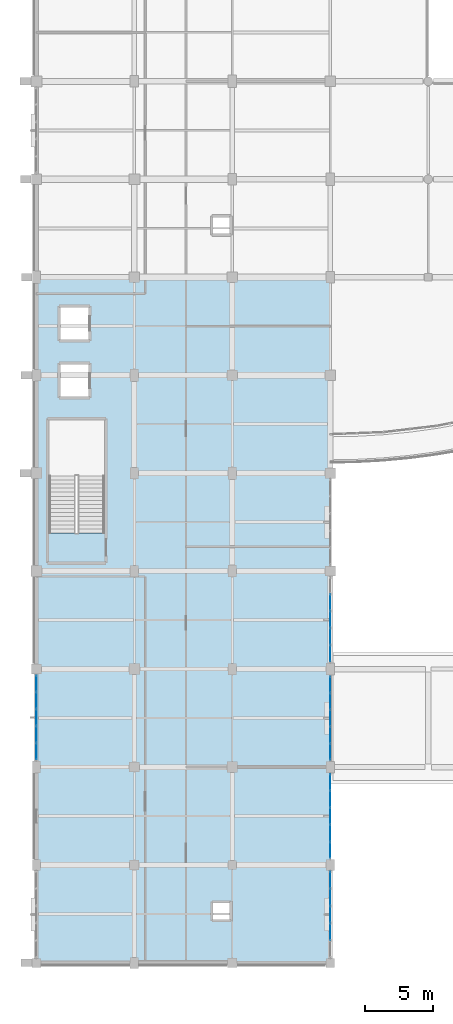
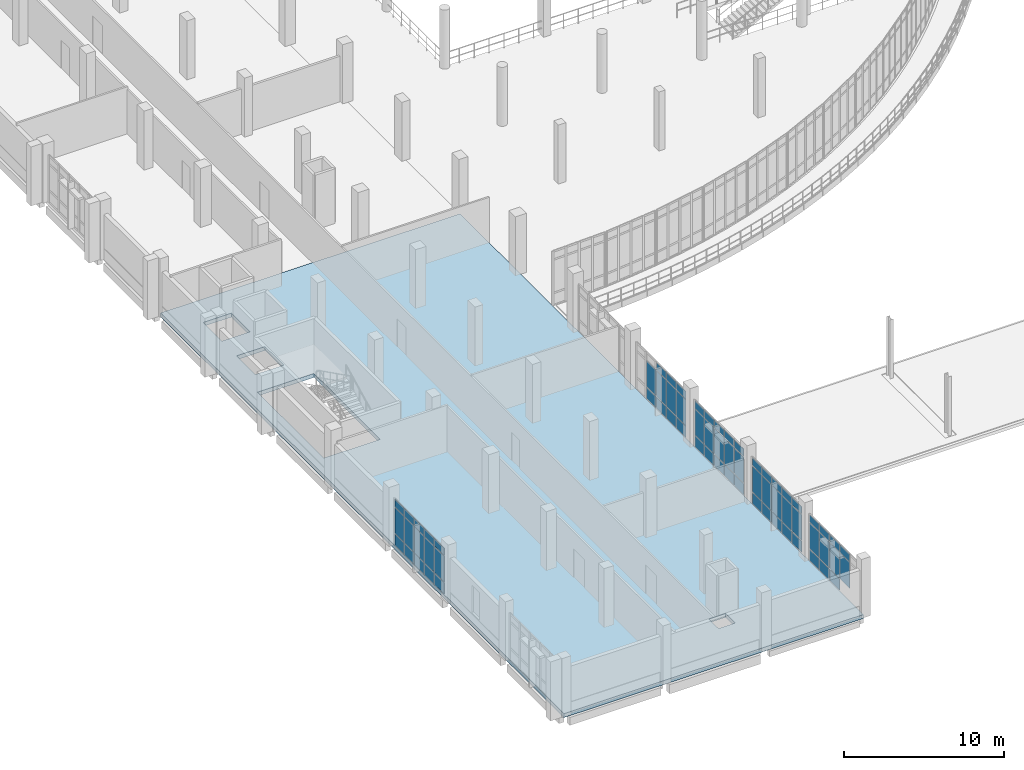
# One storey, part 92 of 134: 67 plates, 1 slab, 5 elements without a shape of their own.
"""IFC4 building model written with IfcOpenShell, lengths in metres."""

from ifc_helpers import new_model, si_unit, direction, frame, origin, origin_2d, place, context, subcontext, project, spatial, polyline, rectangle, outline, extrude, material, layer, layer_set, type_object, element, aggregate, save


model = new_model("IFC4")

# Units and contexts
model_context = context("Model", 3, precision=1e-05, world=origin(), true_north=direction((0.0, 1.0)))
body_context = subcontext(model_context, "Body", "Model", "MODEL_VIEW")
ifc_project = project(units=[si_unit("LENGTHUNIT", "METRE"), si_unit("AREAUNIT", "SQUARE_METRE"), si_unit("VOLUMEUNIT", "CUBIC_METRE"), si_unit("PLANEANGLEUNIT", "RADIAN"), si_unit("MASSUNIT", "GRAM", prefix="KILO")], contexts=[model_context])

# Site, building, storey
site_placement = place(None, origin())
site = spatial("IfcSite", under=ifc_project, at=site_placement, CompositionType="ELEMENT")
building_placement = place(site_placement, origin())
building = spatial("IfcBuilding", under=site, at=building_placement, Name="Kalluvel Institute of Natural Sciences", CompositionType="ELEMENT")
storey_placement = place(building_placement, frame((0.0, 0.0, 5.39990234375)))
storey = spatial("IfcBuildingStorey", under=building, at=storey_placement, Name="L01", CompositionType="ELEMENT", Elevation=5.39990234375)

# Curtain wall, plates
ifc_material_1 = material(Name="Aluminium AW-6063 T6", Category="aluminium")
curtain_wall_type = type_object("IfcCurtainWallType", Name="CW-DRY-45", PredefinedType="USERDEFINED", material=ifc_material_1)
curtain_wall_1_placement = place(storey_placement, origin())
curtain_wall_1 = element("IfcCurtainWall", 1, at=curtain_wall_1_placement, inside=storey, type_object=curtain_wall_type, Name="L01 Gothic lancet curtain wall CWA-L01-X140-Y289", ObjectType="UNITISED LANCET FACADE", PredefinedType="USERDEFINED")
ifc_material_2 = material(Name="Solar-Control Low-E Laminated Glass", Category="glass")
ifc_layer_1 = layer(ifc_material_2, 0.031982421875)
ifc_layer_set_1 = layer_set([ifc_layer_1], Name="Solar-Control Low-E Laminated Glass")
plate_type = type_object("IfcPlateType", Name="CWP-DGU-32", PredefinedType="CURTAIN_PANEL", material=ifc_layer_set_1)
plate_1_placement = place(storey_placement, frame((14.0, 29.543701171875, 0.065185546875), z_axis=(0.0, 0.0, 1.0), x_axis=(0.0, 1.0, 0.0)))
plate_1 = element("IfcPlate", 2, at=plate_1_placement, type_object=plate_type, Name="CW-03 panel 1.1", PredefinedType="CURTAIN_PANEL", context=body_context, shape_type="SweptSolid", body=[
    extrude(rectangle(XDim=1.157470703125, YDim=0.031982421875, at=origin_2d()), origin(), (0.0, 0.0, 1.0), 0.8525390625),
])
plate_2_placement = place(storey_placement, frame((14.0, 29.543701171875, 0.982666015625), z_axis=(0.0, 0.0, 1.0), x_axis=(0.0, 1.0, 0.0)))
plate_2 = element("IfcPlate", 3, at=plate_2_placement, type_object=plate_type, Name="CW-03 panel 1.2", PredefinedType="CURTAIN_PANEL", context=body_context, shape_type="SweptSolid", body=[
    extrude(rectangle(XDim=1.157470703125, YDim=0.031982421875, at=origin_2d()), origin(), (0.0, 0.0, 1.0), 1.955078125),
])
plate_3_placement = place(storey_placement, frame((14.0, 29.543701171875, 3.00244140625), z_axis=(0.0, 0.0, 1.0), x_axis=(0.0, 1.0, 0.0)))
plate_3 = element("IfcPlate", 4, at=plate_3_placement, type_object=plate_type, Name="CW-03 panel 1.3", PredefinedType="CURTAIN_PANEL", context=body_context, shape_type="SweptSolid", body=[
    extrude(rectangle(XDim=1.157470703125, YDim=0.031982421875, at=origin_2d()), origin(), (0.0, 0.0, 1.0), 0.552490234375),
])
plate_4_placement = place(storey_placement, frame((14.0, 30.782470703125, 0.065185546875), z_axis=(0.0, 0.0, 1.0), x_axis=(0.0, 1.0, 0.0)))
plate_4 = element("IfcPlate", 5, at=plate_4_placement, type_object=plate_type, Name="CW-03 panel 2.1", PredefinedType="CURTAIN_PANEL", context=body_context, shape_type="SweptSolid", body=[
    extrude(rectangle(XDim=1.18994140625, YDim=0.031982421875, at=origin_2d()), origin(), (0.0, 0.0, 1.0), 0.8525390625),
])
plate_5_placement = place(storey_placement, frame((14.0, 30.782470703125, 0.982666015625), z_axis=(0.0, 0.0, 1.0), x_axis=(0.0, 1.0, 0.0)))
plate_5 = element("IfcPlate", 6, at=plate_5_placement, type_object=plate_type, Name="CW-03 panel 2.2", PredefinedType="CURTAIN_PANEL", context=body_context, shape_type="SweptSolid", body=[
    extrude(rectangle(XDim=1.18994140625, YDim=0.031982421875, at=origin_2d()), origin(), (0.0, 0.0, 1.0), 1.955078125),
])
plate_6_placement = place(storey_placement, frame((14.0, 30.782470703125, 3.00244140625), z_axis=(0.0, 0.0, 1.0), x_axis=(0.0, 1.0, 0.0)))
plate_6 = element("IfcPlate", 7, at=plate_6_placement, type_object=plate_type, Name="CW-03 panel 2.3", PredefinedType="CURTAIN_PANEL", context=body_context, shape_type="SweptSolid", body=[
    extrude(rectangle(XDim=1.18994140625, YDim=0.031982421875, at=origin_2d()), origin(), (0.0, 0.0, 1.0), 0.552490234375),
])
plate_7_placement = place(storey_placement, frame((14.0, 32.03759765625, 0.065185546875), z_axis=(0.0, 0.0, 1.0), x_axis=(0.0, 1.0, 0.0)))
plate_7 = element("IfcPlate", 8, at=plate_7_placement, type_object=plate_type, Name="CW-03 panel 3.1", PredefinedType="CURTAIN_PANEL", context=body_context, shape_type="SweptSolid", body=[
    extrude(rectangle(XDim=1.18994140625, YDim=0.031982421875, at=origin_2d()), origin(), (0.0, 0.0, 1.0), 0.8525390625),
])
plate_8_placement = place(storey_placement, frame((14.0, 32.03759765625, 0.982666015625), z_axis=(0.0, 0.0, 1.0), x_axis=(0.0, 1.0, 0.0)))
plate_8 = element("IfcPlate", 9, at=plate_8_placement, type_object=plate_type, Name="CW-03 panel 3.2", PredefinedType="CURTAIN_PANEL", context=body_context, shape_type="SweptSolid", body=[
    extrude(rectangle(XDim=1.18994140625, YDim=0.031982421875, at=origin_2d()), origin(), (0.0, 0.0, 1.0), 1.955078125),
])
plate_9_placement = place(storey_placement, frame((14.0, 32.03759765625, 3.00244140625), z_axis=(0.0, 0.0, 1.0), x_axis=(0.0, 1.0, 0.0)))
plate_9 = element("IfcPlate", 10, at=plate_9_placement, type_object=plate_type, Name="CW-03 panel 3.3", PredefinedType="CURTAIN_PANEL", context=body_context, shape_type="SweptSolid", body=[
    extrude(rectangle(XDim=1.18994140625, YDim=0.031982421875, at=origin_2d()), origin(), (0.0, 0.0, 1.0), 0.552490234375),
])
plate_10_placement = place(storey_placement, frame((14.0, 33.29248046875, 0.065185546875), z_axis=(0.0, 0.0, 1.0), x_axis=(0.0, 1.0, 0.0)))
plate_10 = element("IfcPlate", 11, at=plate_10_placement, type_object=plate_type, Name="CW-03 panel 4.1", PredefinedType="CURTAIN_PANEL", context=body_context, shape_type="SweptSolid", body=[
    extrude(rectangle(XDim=1.18994140625, YDim=0.031982421875, at=origin_2d()), origin(), (0.0, 0.0, 1.0), 0.8525390625),
])
plate_11_placement = place(storey_placement, frame((14.0, 33.29248046875, 0.982666015625), z_axis=(0.0, 0.0, 1.0), x_axis=(0.0, 1.0, 0.0)))
plate_11 = element("IfcPlate", 12, at=plate_11_placement, type_object=plate_type, Name="CW-03 panel 4.2", PredefinedType="CURTAIN_PANEL", context=body_context, shape_type="SweptSolid", body=[
    extrude(rectangle(XDim=1.18994140625, YDim=0.031982421875, at=origin_2d()), origin(), (0.0, 0.0, 1.0), 1.955078125),
])
plate_12_placement = place(storey_placement, frame((14.0, 33.29248046875, 3.00244140625), z_axis=(0.0, 0.0, 1.0), x_axis=(0.0, 1.0, 0.0)))
plate_12 = element("IfcPlate", 13, at=plate_12_placement, type_object=plate_type, Name="CW-03 panel 4.3", PredefinedType="CURTAIN_PANEL", context=body_context, shape_type="SweptSolid", body=[
    extrude(rectangle(XDim=1.18994140625, YDim=0.031982421875, at=origin_2d()), origin(), (0.0, 0.0, 1.0), 0.552490234375),
])
plate_13_placement = place(storey_placement, frame((14.0, 34.53125, 0.065185546875), z_axis=(0.0, 0.0, 1.0), x_axis=(0.0, 1.0, 0.0)))
plate_13 = element("IfcPlate", 14, at=plate_13_placement, type_object=plate_type, Name="CW-03 panel 5.1", PredefinedType="CURTAIN_PANEL", context=body_context, shape_type="SweptSolid", body=[
    extrude(rectangle(XDim=1.157470703125, YDim=0.031982421875, at=origin_2d()), origin(), (0.0, 0.0, 1.0), 0.8525390625),
])
plate_14_placement = place(storey_placement, frame((14.0, 34.53125, 0.982666015625), z_axis=(0.0, 0.0, 1.0), x_axis=(0.0, 1.0, 0.0)))
plate_14 = element("IfcPlate", 15, at=plate_14_placement, type_object=plate_type, Name="CW-03 panel 5.2", PredefinedType="CURTAIN_PANEL", context=body_context, shape_type="SweptSolid", body=[
    extrude(rectangle(XDim=1.157470703125, YDim=0.031982421875, at=origin_2d()), origin(), (0.0, 0.0, 1.0), 1.955078125),
])
plate_15_placement = place(storey_placement, frame((14.0, 34.53125, 3.00244140625), z_axis=(0.0, 0.0, 1.0), x_axis=(0.0, 1.0, 0.0)))
plate_15 = element("IfcPlate", 16, at=plate_15_placement, type_object=plate_type, Name="CW-03 panel 5.3", PredefinedType="CURTAIN_PANEL", context=body_context, shape_type="SweptSolid", body=[
    extrude(rectangle(XDim=1.157470703125, YDim=0.031982421875, at=origin_2d()), origin(), (0.0, 0.0, 1.0), 0.552490234375),
])
aggregate(curtain_wall_1, [plate_1, plate_2, plate_3, plate_4, plate_5, plate_6, plate_7, plate_8, plate_9, plate_10, plate_11, plate_12, plate_13, plate_14, plate_15])

curtain_wall_2_placement = place(storey_placement, origin())
curtain_wall_2 = element("IfcCurtainWall", 17, at=curtain_wall_2_placement, inside=storey, type_object=curtain_wall_type, Name="L01 Gothic lancet curtain wall CWA-L01-X356-Y144", ObjectType="UNITISED LANCET FACADE", PredefinedType="USERDEFINED")
plate_16_placement = place(storey_placement, frame((35.60009765625, 16.28759765625, 0.982666015625), z_axis=(0.0, 0.0, 1.0), x_axis=(0.0, 1.0, 0.0)))
plate_16 = element("IfcPlate", 18, at=plate_16_placement, type_object=plate_type, Name="CW-03 panel 2.2", PredefinedType="CURTAIN_PANEL", context=body_context, shape_type="SweptSolid", body=[
    extrude(rectangle(XDim=1.2099609375, YDim=0.031982421875, at=origin_2d()), origin(), (0.0, 0.0, 1.0), 1.955078125),
])
plate_17_placement = place(storey_placement, frame((35.60009765625, 16.28759765625, 3.00244140625), z_axis=(0.0, 0.0, 1.0), x_axis=(0.0, 1.0, 0.0)))
plate_17 = element("IfcPlate", 19, at=plate_17_placement, type_object=plate_type, Name="CW-03 panel 2.3", PredefinedType="CURTAIN_PANEL", context=body_context, shape_type="SweptSolid", body=[
    extrude(rectangle(XDim=1.2099609375, YDim=0.031982421875, at=origin_2d()), origin(), (0.0, 0.0, 1.0), 0.552490234375),
])
plate_18_placement = place(storey_placement, frame((35.60009765625, 17.5625, 0.065185546875), z_axis=(0.0, 0.0, 1.0), x_axis=(0.0, 1.0, 0.0)))
plate_18 = element("IfcPlate", 20, at=plate_18_placement, type_object=plate_type, Name="CW-03 panel 3.1", PredefinedType="CURTAIN_PANEL", context=body_context, shape_type="SweptSolid", body=[
    extrude(rectangle(XDim=1.2099609375, YDim=0.031982421875, at=origin_2d()), origin(), (0.0, 0.0, 1.0), 0.8525390625),
])
plate_19_placement = place(storey_placement, frame((35.60009765625, 17.5625, 0.982666015625), z_axis=(0.0, 0.0, 1.0), x_axis=(0.0, 1.0, 0.0)))
plate_19 = element("IfcPlate", 21, at=plate_19_placement, type_object=plate_type, Name="CW-03 panel 3.2", PredefinedType="CURTAIN_PANEL", context=body_context, shape_type="SweptSolid", body=[
    extrude(rectangle(XDim=1.2099609375, YDim=0.031982421875, at=origin_2d()), origin(), (0.0, 0.0, 1.0), 1.955078125),
])
plate_20_placement = place(storey_placement, frame((35.60009765625, 17.5625, 3.00244140625), z_axis=(0.0, 0.0, 1.0), x_axis=(0.0, 1.0, 0.0)))
plate_20 = element("IfcPlate", 22, at=plate_20_placement, type_object=plate_type, Name="CW-03 panel 3.3", PredefinedType="CURTAIN_PANEL", context=body_context, shape_type="SweptSolid", body=[
    extrude(rectangle(XDim=1.2099609375, YDim=0.031982421875, at=origin_2d()), origin(), (0.0, 0.0, 1.0), 0.552490234375),
])
plate_21_placement = place(storey_placement, frame((35.60009765625, 18.83740234375, 0.065185546875), z_axis=(0.0, 0.0, 1.0), x_axis=(0.0, 1.0, 0.0)))
plate_21 = element("IfcPlate", 23, at=plate_21_placement, type_object=plate_type, Name="CW-03 panel 4.1", PredefinedType="CURTAIN_PANEL", context=body_context, shape_type="SweptSolid", body=[
    extrude(rectangle(XDim=1.2099609375, YDim=0.031982421875, at=origin_2d()), origin(), (0.0, 0.0, 1.0), 0.8525390625),
])
plate_22_placement = place(storey_placement, frame((35.60009765625, 18.83740234375, 0.982666015625), z_axis=(0.0, 0.0, 1.0), x_axis=(0.0, 1.0, 0.0)))
plate_22 = element("IfcPlate", 24, at=plate_22_placement, type_object=plate_type, Name="CW-03 panel 4.2", PredefinedType="CURTAIN_PANEL", context=body_context, shape_type="SweptSolid", body=[
    extrude(rectangle(XDim=1.2099609375, YDim=0.031982421875, at=origin_2d()), origin(), (0.0, 0.0, 1.0), 1.955078125),
])
plate_23_placement = place(storey_placement, frame((35.60009765625, 18.83740234375, 3.00244140625), z_axis=(0.0, 0.0, 1.0), x_axis=(0.0, 1.0, 0.0)))
plate_23 = element("IfcPlate", 25, at=plate_23_placement, type_object=plate_type, Name="CW-03 panel 4.3", PredefinedType="CURTAIN_PANEL", context=body_context, shape_type="SweptSolid", body=[
    extrude(rectangle(XDim=1.2099609375, YDim=0.031982421875, at=origin_2d()), origin(), (0.0, 0.0, 1.0), 0.552490234375),
])
plate_24_placement = place(storey_placement, frame((35.60009765625, 20.09619140625, 0.065185546875), z_axis=(0.0, 0.0, 1.0), x_axis=(0.0, 1.0, 0.0)))
plate_24 = element("IfcPlate", 26, at=plate_24_placement, type_object=plate_type, Name="CW-03 panel 5.1", PredefinedType="CURTAIN_PANEL", context=body_context, shape_type="SweptSolid", body=[
    extrude(rectangle(XDim=1.177490234375, YDim=0.031982421875, at=origin_2d()), origin(), (0.0, 0.0, 1.0), 0.8525390625),
])
plate_25_placement = place(storey_placement, frame((35.60009765625, 20.09619140625, 0.982666015625), z_axis=(0.0, 0.0, 1.0), x_axis=(0.0, 1.0, 0.0)))
plate_25 = element("IfcPlate", 27, at=plate_25_placement, type_object=plate_type, Name="CW-03 panel 5.2", PredefinedType="CURTAIN_PANEL", context=body_context, shape_type="SweptSolid", body=[
    extrude(rectangle(XDim=1.177490234375, YDim=0.031982421875, at=origin_2d()), origin(), (0.0, 0.0, 1.0), 1.955078125),
])
plate_26_placement = place(storey_placement, frame((35.60009765625, 20.09619140625, 3.00244140625), z_axis=(0.0, 0.0, 1.0), x_axis=(0.0, 1.0, 0.0)))
plate_26 = element("IfcPlate", 28, at=plate_26_placement, type_object=plate_type, Name="CW-03 panel 5.3", PredefinedType="CURTAIN_PANEL", context=body_context, shape_type="SweptSolid", body=[
    extrude(rectangle(XDim=1.177490234375, YDim=0.031982421875, at=origin_2d()), origin(), (0.0, 0.0, 1.0), 0.552490234375),
])
aggregate(curtain_wall_2, [plate_16, plate_17, plate_18, plate_19, plate_20, plate_21, plate_22, plate_23, plate_24, plate_25, plate_26])

curtain_wall_3_placement = place(storey_placement, origin())
curtain_wall_3 = element("IfcCurtainWall", 29, at=curtain_wall_3_placement, inside=storey, type_object=curtain_wall_type, Name="L01 Gothic lancet curtain wall CWA-L01-X356-Y216", ObjectType="UNITISED LANCET FACADE", PredefinedType="USERDEFINED")
plate_27_placement = place(storey_placement, frame((35.60009765625, 22.293701171875, 0.065185546875), z_axis=(0.0, 0.0, 1.0), x_axis=(0.0, 1.0, 0.0)))
plate_27 = element("IfcPlate", 30, at=plate_27_placement, type_object=plate_type, Name="CW-03 panel 1.1", PredefinedType="CURTAIN_PANEL", context=body_context, shape_type="SweptSolid", body=[
    extrude(rectangle(XDim=1.157470703125, YDim=0.031982421875, at=origin_2d()), origin(), (0.0, 0.0, 1.0), 0.8525390625),
])
plate_28_placement = place(storey_placement, frame((35.60009765625, 22.293701171875, 0.982666015625), z_axis=(0.0, 0.0, 1.0), x_axis=(0.0, 1.0, 0.0)))
plate_28 = element("IfcPlate", 31, at=plate_28_placement, type_object=plate_type, Name="CW-03 panel 1.2", PredefinedType="CURTAIN_PANEL", context=body_context, shape_type="SweptSolid", body=[
    extrude(rectangle(XDim=1.157470703125, YDim=0.031982421875, at=origin_2d()), origin(), (0.0, 0.0, 1.0), 1.955078125),
])
plate_29_placement = place(storey_placement, frame((35.60009765625, 22.293701171875, 3.00244140625), z_axis=(0.0, 0.0, 1.0), x_axis=(0.0, 1.0, 0.0)))
plate_29 = element("IfcPlate", 32, at=plate_29_placement, type_object=plate_type, Name="CW-03 panel 1.3", PredefinedType="CURTAIN_PANEL", context=body_context, shape_type="SweptSolid", body=[
    extrude(rectangle(XDim=1.157470703125, YDim=0.031982421875, at=origin_2d()), origin(), (0.0, 0.0, 1.0), 0.552490234375),
])
plate_30_placement = place(storey_placement, frame((35.60009765625, 23.532470703125, 0.065185546875), z_axis=(0.0, 0.0, 1.0), x_axis=(0.0, 1.0, 0.0)))
plate_30 = element("IfcPlate", 33, at=plate_30_placement, type_object=plate_type, Name="CW-03 panel 2.1", PredefinedType="CURTAIN_PANEL", context=body_context, shape_type="SweptSolid", body=[
    extrude(rectangle(XDim=1.18994140625, YDim=0.031982421875, at=origin_2d()), origin(), (0.0, 0.0, 1.0), 0.8525390625),
])
plate_31_placement = place(storey_placement, frame((35.60009765625, 23.532470703125, 0.982666015625), z_axis=(0.0, 0.0, 1.0), x_axis=(0.0, 1.0, 0.0)))
plate_31 = element("IfcPlate", 34, at=plate_31_placement, type_object=plate_type, Name="CW-03 panel 2.2", PredefinedType="CURTAIN_PANEL", context=body_context, shape_type="SweptSolid", body=[
    extrude(rectangle(XDim=1.18994140625, YDim=0.031982421875, at=origin_2d()), origin(), (0.0, 0.0, 1.0), 1.955078125),
])
plate_32_placement = place(storey_placement, frame((35.60009765625, 23.532470703125, 3.00244140625), z_axis=(0.0, 0.0, 1.0), x_axis=(0.0, 1.0, 0.0)))
plate_32 = element("IfcPlate", 35, at=plate_32_placement, type_object=plate_type, Name="CW-03 panel 2.3", PredefinedType="CURTAIN_PANEL", context=body_context, shape_type="SweptSolid", body=[
    extrude(rectangle(XDim=1.18994140625, YDim=0.031982421875, at=origin_2d()), origin(), (0.0, 0.0, 1.0), 0.552490234375),
])
plate_33_placement = place(storey_placement, frame((35.60009765625, 24.78759765625, 0.065185546875), z_axis=(0.0, 0.0, 1.0), x_axis=(0.0, 1.0, 0.0)))
plate_33 = element("IfcPlate", 36, at=plate_33_placement, type_object=plate_type, Name="CW-03 panel 3.1", PredefinedType="CURTAIN_PANEL", context=body_context, shape_type="SweptSolid", body=[
    extrude(rectangle(XDim=1.18994140625, YDim=0.031982421875, at=origin_2d()), origin(), (0.0, 0.0, 1.0), 0.8525390625),
])
plate_34_placement = place(storey_placement, frame((35.60009765625, 24.78759765625, 0.982666015625), z_axis=(0.0, 0.0, 1.0), x_axis=(0.0, 1.0, 0.0)))
plate_34 = element("IfcPlate", 37, at=plate_34_placement, type_object=plate_type, Name="CW-03 panel 3.2", PredefinedType="CURTAIN_PANEL", context=body_context, shape_type="SweptSolid", body=[
    extrude(rectangle(XDim=1.18994140625, YDim=0.031982421875, at=origin_2d()), origin(), (0.0, 0.0, 1.0), 1.955078125),
])
plate_35_placement = place(storey_placement, frame((35.60009765625, 24.78759765625, 3.00244140625), z_axis=(0.0, 0.0, 1.0), x_axis=(0.0, 1.0, 0.0)))
plate_35 = element("IfcPlate", 38, at=plate_35_placement, type_object=plate_type, Name="CW-03 panel 3.3", PredefinedType="CURTAIN_PANEL", context=body_context, shape_type="SweptSolid", body=[
    extrude(rectangle(XDim=1.18994140625, YDim=0.031982421875, at=origin_2d()), origin(), (0.0, 0.0, 1.0), 0.552490234375),
])
plate_36_placement = place(storey_placement, frame((35.60009765625, 26.04248046875, 0.065185546875), z_axis=(0.0, 0.0, 1.0), x_axis=(0.0, 1.0, 0.0)))
plate_36 = element("IfcPlate", 39, at=plate_36_placement, type_object=plate_type, Name="CW-03 panel 4.1", PredefinedType="CURTAIN_PANEL", context=body_context, shape_type="SweptSolid", body=[
    extrude(rectangle(XDim=1.18994140625, YDim=0.031982421875, at=origin_2d()), origin(), (0.0, 0.0, 1.0), 0.8525390625),
])
plate_37_placement = place(storey_placement, frame((35.60009765625, 26.04248046875, 0.982666015625), z_axis=(0.0, 0.0, 1.0), x_axis=(0.0, 1.0, 0.0)))
plate_37 = element("IfcPlate", 40, at=plate_37_placement, type_object=plate_type, Name="CW-03 panel 4.2", PredefinedType="CURTAIN_PANEL", context=body_context, shape_type="SweptSolid", body=[
    extrude(rectangle(XDim=1.18994140625, YDim=0.031982421875, at=origin_2d()), origin(), (0.0, 0.0, 1.0), 1.955078125),
])
plate_38_placement = place(storey_placement, frame((35.60009765625, 26.04248046875, 3.00244140625), z_axis=(0.0, 0.0, 1.0), x_axis=(0.0, 1.0, 0.0)))
plate_38 = element("IfcPlate", 41, at=plate_38_placement, type_object=plate_type, Name="CW-03 panel 4.3", PredefinedType="CURTAIN_PANEL", context=body_context, shape_type="SweptSolid", body=[
    extrude(rectangle(XDim=1.18994140625, YDim=0.031982421875, at=origin_2d()), origin(), (0.0, 0.0, 1.0), 0.552490234375),
])
plate_39_placement = place(storey_placement, frame((35.60009765625, 27.28125, 0.065185546875), z_axis=(0.0, 0.0, 1.0), x_axis=(0.0, 1.0, 0.0)))
plate_39 = element("IfcPlate", 42, at=plate_39_placement, type_object=plate_type, Name="CW-03 panel 5.1", PredefinedType="CURTAIN_PANEL", context=body_context, shape_type="SweptSolid", body=[
    extrude(rectangle(XDim=1.157470703125, YDim=0.031982421875, at=origin_2d()), origin(), (0.0, 0.0, 1.0), 0.8525390625),
])
plate_40_placement = place(storey_placement, frame((35.60009765625, 27.28125, 0.982666015625), z_axis=(0.0, 0.0, 1.0), x_axis=(0.0, 1.0, 0.0)))
plate_40 = element("IfcPlate", 43, at=plate_40_placement, type_object=plate_type, Name="CW-03 panel 5.2", PredefinedType="CURTAIN_PANEL", context=body_context, shape_type="SweptSolid", body=[
    extrude(rectangle(XDim=1.157470703125, YDim=0.031982421875, at=origin_2d()), origin(), (0.0, 0.0, 1.0), 1.955078125),
])
plate_41_placement = place(storey_placement, frame((35.60009765625, 27.28125, 3.00244140625), z_axis=(0.0, 0.0, 1.0), x_axis=(0.0, 1.0, 0.0)))
plate_41 = element("IfcPlate", 44, at=plate_41_placement, type_object=plate_type, Name="CW-03 panel 5.3", PredefinedType="CURTAIN_PANEL", context=body_context, shape_type="SweptSolid", body=[
    extrude(rectangle(XDim=1.157470703125, YDim=0.031982421875, at=origin_2d()), origin(), (0.0, 0.0, 1.0), 0.552490234375),
])
aggregate(curtain_wall_3, [plate_27, plate_28, plate_29, plate_30, plate_31, plate_32, plate_33, plate_34, plate_35, plate_36, plate_37, plate_38, plate_39, plate_40, plate_41])

curtain_wall_4_placement = place(storey_placement, origin())
curtain_wall_4 = element("IfcCurtainWall", 45, at=curtain_wall_4_placement, inside=storey, type_object=curtain_wall_type, Name="L01 Gothic lancet curtain wall CWA-L01-X356-Y289", ObjectType="UNITISED LANCET FACADE", PredefinedType="USERDEFINED")
plate_42_placement = place(storey_placement, frame((35.60009765625, 29.513671875, 0.065185546875), z_axis=(0.0, 0.0, 1.0), x_axis=(0.0, 1.0, 0.0)))
plate_42 = element("IfcPlate", 46, at=plate_42_placement, type_object=plate_type, Name="CW-03 panel 1.1", PredefinedType="CURTAIN_PANEL", context=body_context, shape_type="SweptSolid", body=[
    extrude(rectangle(XDim=1.1474609375, YDim=0.031982421875, at=origin_2d()), origin(), (0.0, 0.0, 1.0), 0.8525390625),
])
plate_43_placement = place(storey_placement, frame((35.60009765625, 29.513671875, 0.982666015625), z_axis=(0.0, 0.0, 1.0), x_axis=(0.0, 1.0, 0.0)))
plate_43 = element("IfcPlate", 47, at=plate_43_placement, type_object=plate_type, Name="CW-03 panel 1.2", PredefinedType="CURTAIN_PANEL", context=body_context, shape_type="SweptSolid", body=[
    extrude(rectangle(XDim=1.1474609375, YDim=0.031982421875, at=origin_2d()), origin(), (0.0, 0.0, 1.0), 1.955078125),
])
plate_44_placement = place(storey_placement, frame((35.60009765625, 29.513671875, 3.00244140625), z_axis=(0.0, 0.0, 1.0), x_axis=(0.0, 1.0, 0.0)))
plate_44 = element("IfcPlate", 48, at=plate_44_placement, type_object=plate_type, Name="CW-03 panel 1.3", PredefinedType="CURTAIN_PANEL", context=body_context, shape_type="SweptSolid", body=[
    extrude(rectangle(XDim=1.1474609375, YDim=0.031982421875, at=origin_2d()), origin(), (0.0, 0.0, 1.0), 0.552490234375),
])
plate_45_placement = place(storey_placement, frame((35.60009765625, 30.742431640625, 0.065185546875), z_axis=(0.0, 0.0, 1.0), x_axis=(0.0, 1.0, 0.0)))
plate_45 = element("IfcPlate", 49, at=plate_45_placement, type_object=plate_type, Name="CW-03 panel 2.1", PredefinedType="CURTAIN_PANEL", context=body_context, shape_type="SweptSolid", body=[
    extrude(rectangle(XDim=1.179931640625, YDim=0.031982421875, at=origin_2d()), origin(), (0.0, 0.0, 1.0), 0.8525390625),
])
plate_46_placement = place(storey_placement, frame((35.60009765625, 30.742431640625, 0.982666015625), z_axis=(0.0, 0.0, 1.0), x_axis=(0.0, 1.0, 0.0)))
plate_46 = element("IfcPlate", 50, at=plate_46_placement, type_object=plate_type, Name="CW-03 panel 2.2", PredefinedType="CURTAIN_PANEL", context=body_context, shape_type="SweptSolid", body=[
    extrude(rectangle(XDim=1.179931640625, YDim=0.031982421875, at=origin_2d()), origin(), (0.0, 0.0, 1.0), 1.955078125),
])
plate_47_placement = place(storey_placement, frame((35.60009765625, 30.742431640625, 3.00244140625), z_axis=(0.0, 0.0, 1.0), x_axis=(0.0, 1.0, 0.0)))
plate_47 = element("IfcPlate", 51, at=plate_47_placement, type_object=plate_type, Name="CW-03 panel 2.3", PredefinedType="CURTAIN_PANEL", context=body_context, shape_type="SweptSolid", body=[
    extrude(rectangle(XDim=1.179931640625, YDim=0.031982421875, at=origin_2d()), origin(), (0.0, 0.0, 1.0), 0.552490234375),
])
plate_48_placement = place(storey_placement, frame((35.60009765625, 31.987548828125, 0.065185546875), z_axis=(0.0, 0.0, 1.0), x_axis=(0.0, 1.0, 0.0)))
plate_48 = element("IfcPlate", 52, at=plate_48_placement, type_object=plate_type, Name="CW-03 panel 3.1", PredefinedType="CURTAIN_PANEL", context=body_context, shape_type="SweptSolid", body=[
    extrude(rectangle(XDim=1.179931640625, YDim=0.031982421875, at=origin_2d()), origin(), (0.0, 0.0, 1.0), 0.8525390625),
])
plate_49_placement = place(storey_placement, frame((35.60009765625, 31.987548828125, 0.982666015625), z_axis=(0.0, 0.0, 1.0), x_axis=(0.0, 1.0, 0.0)))
plate_49 = element("IfcPlate", 53, at=plate_49_placement, type_object=plate_type, Name="CW-03 panel 3.2", PredefinedType="CURTAIN_PANEL", context=body_context, shape_type="SweptSolid", body=[
    extrude(rectangle(XDim=1.179931640625, YDim=0.031982421875, at=origin_2d()), origin(), (0.0, 0.0, 1.0), 1.955078125),
])
plate_50_placement = place(storey_placement, frame((35.60009765625, 31.987548828125, 3.00244140625), z_axis=(0.0, 0.0, 1.0), x_axis=(0.0, 1.0, 0.0)))
plate_50 = element("IfcPlate", 54, at=plate_50_placement, type_object=plate_type, Name="CW-03 panel 3.3", PredefinedType="CURTAIN_PANEL", context=body_context, shape_type="SweptSolid", body=[
    extrude(rectangle(XDim=1.179931640625, YDim=0.031982421875, at=origin_2d()), origin(), (0.0, 0.0, 1.0), 0.552490234375),
])
plate_51_placement = place(storey_placement, frame((35.60009765625, 33.232421875, 0.065185546875), z_axis=(0.0, 0.0, 1.0), x_axis=(0.0, 1.0, 0.0)))
plate_51 = element("IfcPlate", 55, at=plate_51_placement, type_object=plate_type, Name="CW-03 panel 4.1", PredefinedType="CURTAIN_PANEL", context=body_context, shape_type="SweptSolid", body=[
    extrude(rectangle(XDim=1.179931640625, YDim=0.031982421875, at=origin_2d()), origin(), (0.0, 0.0, 1.0), 0.8525390625),
])
plate_52_placement = place(storey_placement, frame((35.60009765625, 33.232421875, 0.982666015625), z_axis=(0.0, 0.0, 1.0), x_axis=(0.0, 1.0, 0.0)))
plate_52 = element("IfcPlate", 56, at=plate_52_placement, type_object=plate_type, Name="CW-03 panel 4.2", PredefinedType="CURTAIN_PANEL", context=body_context, shape_type="SweptSolid", body=[
    extrude(rectangle(XDim=1.179931640625, YDim=0.031982421875, at=origin_2d()), origin(), (0.0, 0.0, 1.0), 1.955078125),
])
plate_53_placement = place(storey_placement, frame((35.60009765625, 33.232421875, 3.00244140625), z_axis=(0.0, 0.0, 1.0), x_axis=(0.0, 1.0, 0.0)))
plate_53 = element("IfcPlate", 57, at=plate_53_placement, type_object=plate_type, Name="CW-03 panel 4.3", PredefinedType="CURTAIN_PANEL", context=body_context, shape_type="SweptSolid", body=[
    extrude(rectangle(XDim=1.179931640625, YDim=0.031982421875, at=origin_2d()), origin(), (0.0, 0.0, 1.0), 0.552490234375),
])
plate_54_placement = place(storey_placement, frame((35.60009765625, 34.461181640625, 0.065185546875), z_axis=(0.0, 0.0, 1.0), x_axis=(0.0, 1.0, 0.0)))
plate_54 = element("IfcPlate", 58, at=plate_54_placement, type_object=plate_type, Name="CW-03 panel 5.1", PredefinedType="CURTAIN_PANEL", context=body_context, shape_type="SweptSolid", body=[
    extrude(rectangle(XDim=1.1474609375, YDim=0.031982421875, at=origin_2d()), origin(), (0.0, 0.0, 1.0), 0.8525390625),
])
plate_55_placement = place(storey_placement, frame((35.60009765625, 34.461181640625, 0.982666015625), z_axis=(0.0, 0.0, 1.0), x_axis=(0.0, 1.0, 0.0)))
plate_55 = element("IfcPlate", 59, at=plate_55_placement, type_object=plate_type, Name="CW-03 panel 5.2", PredefinedType="CURTAIN_PANEL", context=body_context, shape_type="SweptSolid", body=[
    extrude(rectangle(XDim=1.1474609375, YDim=0.031982421875, at=origin_2d()), origin(), (0.0, 0.0, 1.0), 1.955078125),
])
plate_56_placement = place(storey_placement, frame((35.60009765625, 34.461181640625, 3.00244140625), z_axis=(0.0, 0.0, 1.0), x_axis=(0.0, 1.0, 0.0)))
plate_56 = element("IfcPlate", 60, at=plate_56_placement, type_object=plate_type, Name="CW-03 panel 5.3", PredefinedType="CURTAIN_PANEL", context=body_context, shape_type="SweptSolid", body=[
    extrude(rectangle(XDim=1.1474609375, YDim=0.031982421875, at=origin_2d()), origin(), (0.0, 0.0, 1.0), 0.552490234375),
])
aggregate(curtain_wall_4, [plate_42, plate_43, plate_44, plate_45, plate_46, plate_47, plate_48, plate_49, plate_50, plate_51, plate_52, plate_53, plate_54, plate_55, plate_56])

curtain_wall_5_placement = place(storey_placement, origin())
curtain_wall_5 = element("IfcCurtainWall", 61, at=curtain_wall_5_placement, inside=storey, type_object=curtain_wall_type, Name="L01 Gothic lancet curtain wall CWA-L01-X356-Y361", ObjectType="UNITISED LANCET FACADE", PredefinedType="USERDEFINED")
plate_57_placement = place(storey_placement, frame((35.60009765625, 36.74365234375, 0.065185546875), z_axis=(0.0, 0.0, 1.0), x_axis=(0.0, 1.0, 0.0)))
plate_57 = element("IfcPlate", 62, at=plate_57_placement, type_object=plate_type, Name="CW-03 panel 1.1", PredefinedType="CURTAIN_PANEL", context=body_context, shape_type="SweptSolid", body=[
    extrude(rectangle(XDim=1.157470703125, YDim=0.031982421875, at=origin_2d()), origin(), (0.0, 0.0, 1.0), 0.8525390625),
])
plate_58_placement = place(storey_placement, frame((35.60009765625, 36.74365234375, 0.982666015625), z_axis=(0.0, 0.0, 1.0), x_axis=(0.0, 1.0, 0.0)))
plate_58 = element("IfcPlate", 63, at=plate_58_placement, type_object=plate_type, Name="CW-03 panel 1.2", PredefinedType="CURTAIN_PANEL", context=body_context, shape_type="SweptSolid", body=[
    extrude(rectangle(XDim=1.157470703125, YDim=0.031982421875, at=origin_2d()), origin(), (0.0, 0.0, 1.0), 1.955078125),
])
plate_59_placement = place(storey_placement, frame((35.60009765625, 36.74365234375, 3.00244140625), z_axis=(0.0, 0.0, 1.0), x_axis=(0.0, 1.0, 0.0)))
plate_59 = element("IfcPlate", 64, at=plate_59_placement, type_object=plate_type, Name="CW-03 panel 1.3", PredefinedType="CURTAIN_PANEL", context=body_context, shape_type="SweptSolid", body=[
    extrude(rectangle(XDim=1.157470703125, YDim=0.031982421875, at=origin_2d()), origin(), (0.0, 0.0, 1.0), 0.552490234375),
])
plate_60_placement = place(storey_placement, frame((35.60009765625, 37.982421875, 0.065185546875), z_axis=(0.0, 0.0, 1.0), x_axis=(0.0, 1.0, 0.0)))
plate_60 = element("IfcPlate", 65, at=plate_60_placement, type_object=plate_type, Name="CW-03 panel 2.1", PredefinedType="CURTAIN_PANEL", context=body_context, shape_type="SweptSolid", body=[
    extrude(rectangle(XDim=1.18994140625, YDim=0.031982421875, at=origin_2d()), origin(), (0.0, 0.0, 1.0), 0.8525390625),
])
plate_61_placement = place(storey_placement, frame((35.60009765625, 37.982421875, 0.982666015625), z_axis=(0.0, 0.0, 1.0), x_axis=(0.0, 1.0, 0.0)))
plate_61 = element("IfcPlate", 66, at=plate_61_placement, type_object=plate_type, Name="CW-03 panel 2.2", PredefinedType="CURTAIN_PANEL", context=body_context, shape_type="SweptSolid", body=[
    extrude(rectangle(XDim=1.18994140625, YDim=0.031982421875, at=origin_2d()), origin(), (0.0, 0.0, 1.0), 1.955078125),
])
plate_62_placement = place(storey_placement, frame((35.60009765625, 37.982421875, 3.00244140625), z_axis=(0.0, 0.0, 1.0), x_axis=(0.0, 1.0, 0.0)))
plate_62 = element("IfcPlate", 67, at=plate_62_placement, type_object=plate_type, Name="CW-03 panel 2.3", PredefinedType="CURTAIN_PANEL", context=body_context, shape_type="SweptSolid", body=[
    extrude(rectangle(XDim=1.18994140625, YDim=0.031982421875, at=origin_2d()), origin(), (0.0, 0.0, 1.0), 0.552490234375),
])
plate_63_placement = place(storey_placement, frame((35.60009765625, 39.237548828125, 0.065185546875), z_axis=(0.0, 0.0, 1.0), x_axis=(0.0, 1.0, 0.0)))
plate_63 = element("IfcPlate", 68, at=plate_63_placement, type_object=plate_type, Name="CW-03 panel 3.1", PredefinedType="CURTAIN_PANEL", context=body_context, shape_type="SweptSolid", body=[
    extrude(rectangle(XDim=1.18994140625, YDim=0.031982421875, at=origin_2d()), origin(), (0.0, 0.0, 1.0), 0.8525390625),
])
plate_64_placement = place(storey_placement, frame((35.60009765625, 39.237548828125, 0.982666015625), z_axis=(0.0, 0.0, 1.0), x_axis=(0.0, 1.0, 0.0)))
plate_64 = element("IfcPlate", 69, at=plate_64_placement, type_object=plate_type, Name="CW-03 panel 3.2", PredefinedType="CURTAIN_PANEL", context=body_context, shape_type="SweptSolid", body=[
    extrude(rectangle(XDim=1.18994140625, YDim=0.031982421875, at=origin_2d()), origin(), (0.0, 0.0, 1.0), 1.955078125),
])
plate_65_placement = place(storey_placement, frame((35.60009765625, 39.237548828125, 3.00244140625), z_axis=(0.0, 0.0, 1.0), x_axis=(0.0, 1.0, 0.0)))
plate_65 = element("IfcPlate", 70, at=plate_65_placement, type_object=plate_type, Name="CW-03 panel 3.3", PredefinedType="CURTAIN_PANEL", context=body_context, shape_type="SweptSolid", body=[
    extrude(rectangle(XDim=1.18994140625, YDim=0.031982421875, at=origin_2d()), origin(), (0.0, 0.0, 1.0), 0.552490234375),
])
plate_66_placement = place(storey_placement, frame((35.60009765625, 40.492431640625, 0.065185546875), z_axis=(0.0, 0.0, 1.0), x_axis=(0.0, 1.0, 0.0)))
plate_66 = element("IfcPlate", 71, at=plate_66_placement, type_object=plate_type, Name="CW-03 panel 4.1", PredefinedType="CURTAIN_PANEL", context=body_context, shape_type="SweptSolid", body=[
    extrude(rectangle(XDim=1.18994140625, YDim=0.031982421875, at=origin_2d()), origin(), (0.0, 0.0, 1.0), 0.8525390625),
])
plate_67_placement = place(storey_placement, frame((35.60009765625, 40.492431640625, 0.982666015625), z_axis=(0.0, 0.0, 1.0), x_axis=(0.0, 1.0, 0.0)))
plate_67 = element("IfcPlate", 72, at=plate_67_placement, type_object=plate_type, Name="CW-03 panel 4.2", PredefinedType="CURTAIN_PANEL", context=body_context, shape_type="SweptSolid", body=[
    extrude(rectangle(XDim=1.18994140625, YDim=0.031982421875, at=origin_2d()), origin(), (0.0, 0.0, 1.0), 1.955078125),
])
aggregate(curtain_wall_5, [plate_57, plate_58, plate_59, plate_60, plate_61, plate_62, plate_63, plate_64, plate_65, plate_66, plate_67])

# Slab
ifc_material_3 = material(Name="Concrete M40", Category="concrete")
ifc_layer_2 = layer(ifc_material_3, 0.300048828125)
ifc_layer_set_2 = layer_set([ifc_layer_2], Name="Concrete M40")
slab_type = type_object("IfcSlabType", Name="SLB-DRY-300", PredefinedType="FLOOR", material=ifc_layer_set_2)
slab_placement = place(storey_placement, frame((0.0, 0.0, -0.2998046875)))
element("IfcSlab", 73, at=slab_placement, inside=storey, type_object=slab_type, Name="L01 Dry Laboratory Floor Slab S", PredefinedType="FLOOR", context=body_context, shape_type="SweptSolid", body=[
    extrude(outline(polyline([(14.0, 14.0), (35.60009765625, 14.0), (35.60009765625, 64.39990234375), (14.0, 64.39990234375), (14.0, 14.0)]), holes=[polyline([(28.199951171875, 18.39990234375), (28.199951171875, 17.199951171875), (27.0, 17.199951171875), (27.0, 18.39990234375), (28.199951171875, 18.39990234375)]), polyline([(14.929931640625, 53.89990234375), (19.0, 53.89990234375), (19.0, 45.617919921875), (14.929931640625, 45.617919921875), (14.929931640625, 53.89990234375)]), polyline([(17.820068359375, 57.969970703125), (17.820068359375, 55.6298828125), (15.780029296875, 55.6298828125), (15.780029296875, 57.969970703125), (17.820068359375, 57.969970703125)]), polyline([(17.820068359375, 62.169921875), (17.820068359375, 59.830078125), (15.780029296875, 59.830078125), (15.780029296875, 62.169921875), (17.820068359375, 62.169921875)])]), origin(), (0.0, 0.0, 1.0), 0.2998046875),
])

save(model, "model.ifc")
